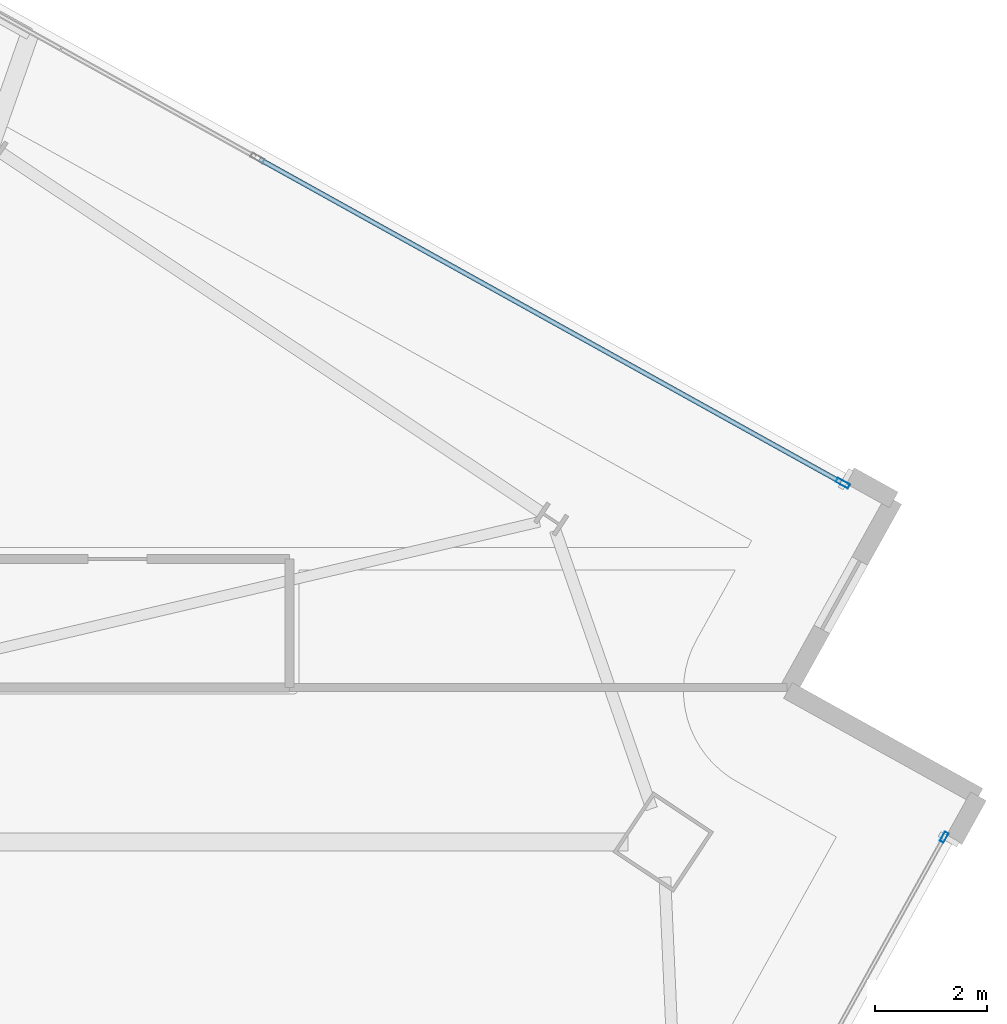
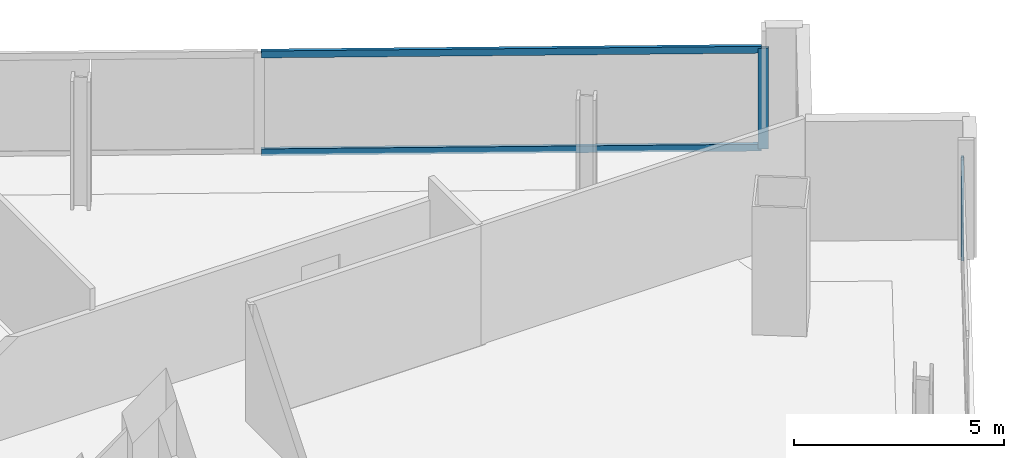
# One storey, part 17 of 28: 4 members, 2 elements without a shape of their own.
"""IFC4 building model written with IfcOpenShell, lengths in metres."""

from ifc_helpers import new_model, si_unit, direction, frame, origin, origin_2d, place, context, subcontext, project, spatial, hollow_rectangle, extrude, material, material_profile, profile_set, type_object, element, aggregate, save


model = new_model("IFC4")

# Units and contexts
model_context = context("Model", 3, precision=1e-05, world=origin(), true_north=direction((0.0, 1.0)))
body_context = subcontext(model_context, "Body", "Model", "MODEL_VIEW")
ifc_project = project(units=[si_unit("LENGTHUNIT", "METRE"), si_unit("AREAUNIT", "SQUARE_METRE"), si_unit("VOLUMEUNIT", "CUBIC_METRE"), si_unit("PLANEANGLEUNIT", "RADIAN"), si_unit("MASSUNIT", "GRAM", prefix="KILO")], contexts=[model_context])

# Site, building, storey
site_placement = place(None, origin())
site = spatial("IfcSite", under=ifc_project, at=site_placement, CompositionType="ELEMENT")
building_placement = place(site_placement, origin())
building = spatial("IfcBuilding", under=site, at=building_placement, Name="Haldenkirk Collegiate Tower", CompositionType="ELEMENT")
storey_placement = place(building_placement, frame((0.0, 0.0, 232.199951171875)))
storey = spatial("IfcBuildingStorey", under=building, at=storey_placement, Name="L58", CompositionType="ELEMENT", Elevation=232.199951171875)

# Curtain wall, member
ifc_material = material(Name="Anodised architectural bronze aluminium", Category="aluminium")
curtain_wall_type_1 = type_object("IfcCurtainWallType", Name="CW-SYS2-CONCAVE", PredefinedType="USERDEFINED", material=ifc_material)
curtain_wall_1_placement = place(storey_placement, origin())
curtain_wall_1 = element("IfcCurtainWall", 1, at=curtain_wall_1_placement, inside=storey, type_object=curtain_wall_type_1, Name="L58 South concave recessed bronze-anodised curtain wall", ObjectType="UNITISED CURTAIN WALL", PredefinedType="USERDEFINED")
ifc_material_profile_1 = material_profile(ifc_material, hollow_rectangle(XDim=0.074951171875, YDim=0.18994140625, WallThickness=0.0048828125, at=origin_2d()), Name="CW-MUL-02")
ifc_profile_set_1 = profile_set([ifc_material_profile_1], Name="Anodised architectural bronze aluminium")
member_type_1 = type_object("IfcMemberType", Name="CW-MUL-02", PredefinedType="MULLION", material=ifc_profile_set_1)
member_1_placement = place(storey_placement, frame((65.513671875, 31.469482421875, 0.0), z_axis=(0.0, 0.0, 1.0), x_axis=(0.874195452624, -0.485574207111, 0.0)))
member_1 = element("IfcMember", 2, at=member_1_placement, type_object=member_type_1, Name="CW-02 mullion 1", PredefinedType="MULLION", context=body_context, shape_type="SweptSolid", body=[
    extrude(hollow_rectangle(XDim=0.074951171875, YDim=0.18994140625, WallThickness=0.0048828125, at=origin_2d()), origin(), (0.0, 0.0, 1.0), 2.927978515625),
])
aggregate(curtain_wall_1, [member_1])

# Curtain wall, members
curtain_wall_type_2 = type_object("IfcCurtainWallType", Name="CW-SYS1B-CONVEX-HI", PredefinedType="USERDEFINED", material=ifc_material)
curtain_wall_2_placement = place(storey_placement, origin())
curtain_wall_2 = element("IfcCurtainWall", 3, at=curtain_wall_2_placement, inside=storey, type_object=curtain_wall_type_2, Name="L58 Upper tower high-wind convex bronze unitised curtain wall", ObjectType="UNITISED CURTAIN WALL", PredefinedType="USERDEFINED")
ifc_material_profile_2 = material_profile(ifc_material, hollow_rectangle(XDim=0.0849609375, YDim=0.25, WallThickness=0.0048828125, at=origin_2d()), Name="CW-MUL-1B")
ifc_profile_set_2 = profile_set([ifc_material_profile_2], Name="Anodised architectural bronze aluminium")
member_type_2 = type_object("IfcMemberType", Name="CW-MUL-1B", PredefinedType="MULLION", material=ifc_profile_set_2)
member_2_placement = place(storey_placement, frame((63.699462890625, 37.804931640625, 0.0), z_axis=(0.0, 0.0, 1.0), x_axis=(0.485572321883, 0.874196499776, 0.0)))
member_2 = element("IfcMember", 4, at=member_2_placement, type_object=member_type_2, Name="CW-1B mullion 4", PredefinedType="MULLION", context=body_context, shape_type="SweptSolid", body=[
    extrude(hollow_rectangle(XDim=0.0849609375, YDim=0.25, WallThickness=0.0048828125, at=origin_2d()), origin(), (0.0, 0.0, 1.0), 2.927978515625),
])
ifc_material_profile_3 = material_profile(ifc_material, hollow_rectangle(XDim=0.0849609375, YDim=0.199951171875, WallThickness=0.0048828125, at=origin_2d()), Name="CW-TRN-1B")
ifc_profile_set_3 = profile_set([ifc_material_profile_3], Name="Anodised architectural bronze aluminium")
member_type_3 = type_object("IfcMemberType", Name="CW-TRN-1B", PredefinedType="USERDEFINED", material=ifc_profile_set_3)
member_3_placement = place(storey_placement, frame((53.261474609375, 43.602783203125, 0.04248046875), z_axis=(0.874194055652, -0.485576722117, 0.0), x_axis=(0.485576722117, 0.874194055652, 0.0)))
member_3 = element("IfcMember", 5, at=member_3_placement, type_object=member_type_3, Name="CW-1B transom 3.1", ObjectType="TRANSOM", PredefinedType="USERDEFINED", context=body_context, shape_type="SweptSolid", body=[
    extrude(hollow_rectangle(XDim=0.0849609375, YDim=0.199951171875, WallThickness=0.0048828125, at=origin_2d()), origin(), (0.0, 0.0, 1.0), 11.8974609375),
])
member_4_placement = place(storey_placement, frame((53.261474609375, 43.602783203125, 2.885498046875), z_axis=(0.874194055652, -0.485576722117, 0.0), x_axis=(0.485576722117, 0.874194055652, 0.0)))
member_4 = element("IfcMember", 6, at=member_4_placement, type_object=member_type_3, Name="CW-1B transom 3.2", ObjectType="TRANSOM", PredefinedType="USERDEFINED", context=body_context, shape_type="SweptSolid", body=[
    extrude(hollow_rectangle(XDim=0.0849609375, YDim=0.199951171875, WallThickness=0.0048828125, at=origin_2d()), origin(), (0.0, 0.0, 1.0), 11.8974609375),
])
aggregate(curtain_wall_2, [member_2, member_3, member_4])

save(model, "model.ifc")
